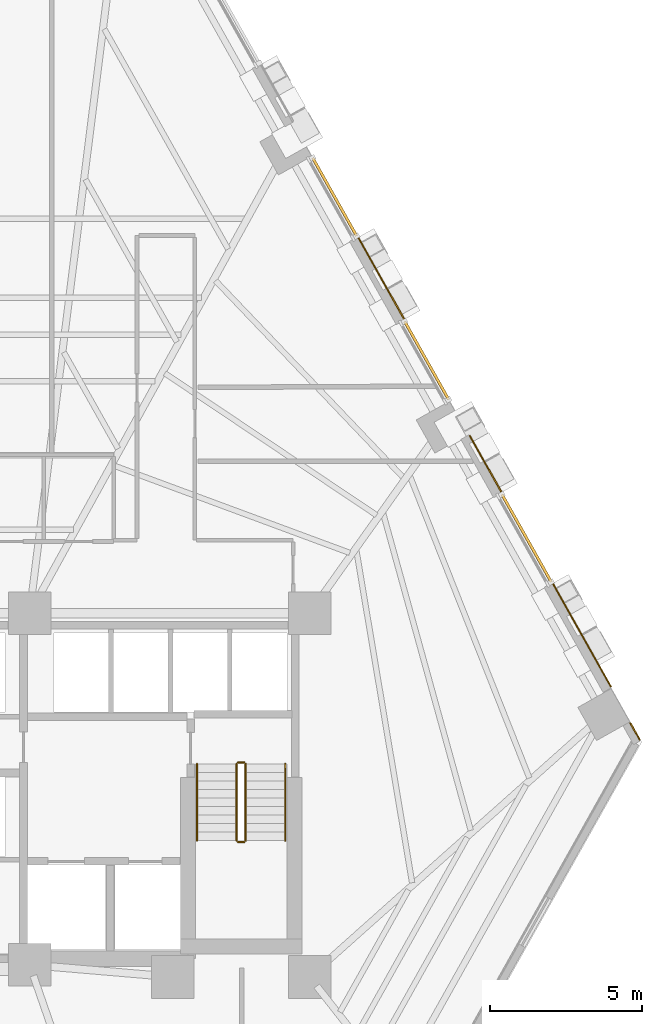
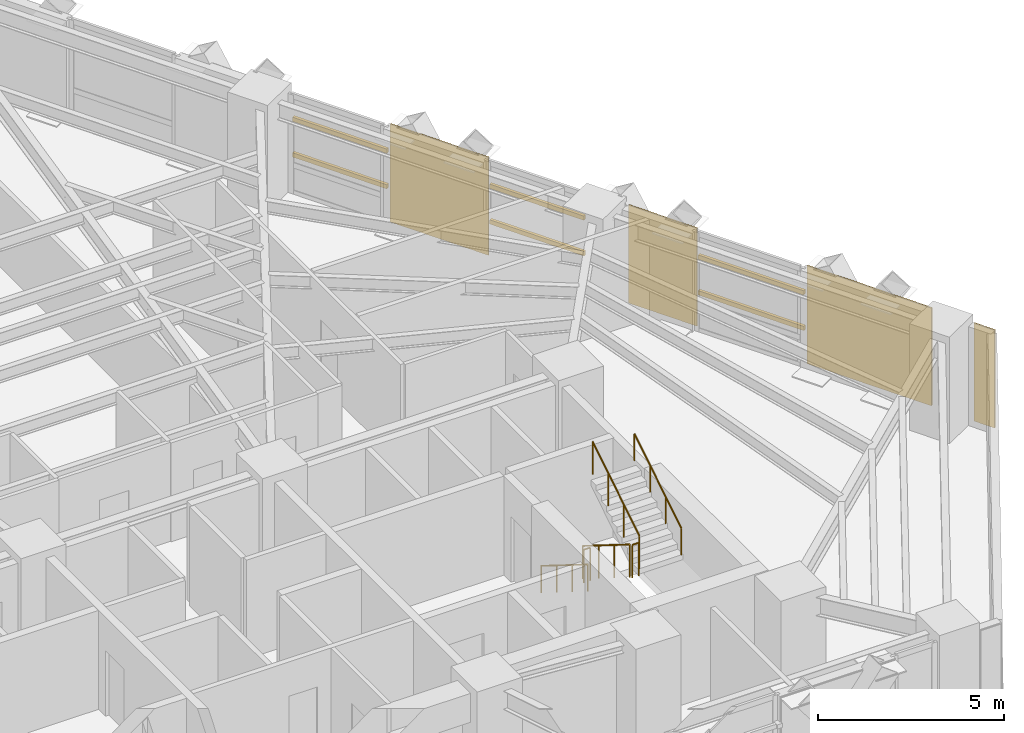
# One storey, part 12 of 13: 6 railings, 6 shading devices, 4 coverings.
"""IFC4 building model written with IfcOpenShell, lengths in metres."""

from ifc_helpers import new_model, si_unit, direction, frame, origin, origin_2d, place, context, subcontext, project, spatial, polyline, rectangle, circle, outline, extrude, material, layer, layer_set, material_profile, profile_set, type_object, element, save


model = new_model("IFC4")

# Units and contexts
model_context = context("Model", 3, precision=1e-05, world=origin(), true_north=direction((0.0, 1.0)))
body_context = subcontext(model_context, "Body", "Model", "MODEL_VIEW")
ifc_project = project(units=[si_unit("LENGTHUNIT", "METRE"), si_unit("AREAUNIT", "SQUARE_METRE"), si_unit("VOLUMEUNIT", "CUBIC_METRE"), si_unit("PLANEANGLEUNIT", "RADIAN"), si_unit("MASSUNIT", "GRAM", prefix="KILO")], contexts=[model_context])

# Site, building, storey
site_placement = place(None, origin())
site = spatial("IfcSite", under=ifc_project, at=site_placement, CompositionType="ELEMENT")
building_placement = place(site_placement, origin())
building = spatial("IfcBuilding", under=site, at=building_placement, Name="Quenlor Broadcast Tower", CompositionType="ELEMENT")
storey_placement = place(building_placement, frame((0.0, 0.0, 62.60009765625)))
storey = spatial("IfcBuildingStorey", under=building, at=storey_placement, Name="L16", CompositionType="ELEMENT", Elevation=62.60009765625)

# Shading devices
ifc_material_1 = material(Name="Architectural Terracotta Ceramic", Category="masonry")
ifc_material_profile = material_profile(ifc_material_1, rectangle(XDim=0.090087890625, YDim=0.139892578125, at=origin_2d()))
ifc_profile_set = profile_set([ifc_material_profile], Name="Architectural Terracotta Ceramic BAG90x140")
shading_device_type = type_object("IfcShadingDeviceType", Name="Copper Terracotta Baguette Solar Screen 140", PredefinedType="USERDEFINED", material=ifc_profile_set)
for number, where, z_axis, x_axis, name in (
    (1, (19.27099609375, -0.89453125, 1.169921875), (0.490289331496, -0.871559734855, 0.0), (0.871559734855, 0.490289331496, 0.0), "L16 Terracotta Baguette Screen 1"),
    (2, (19.27099609375, -0.89453125, 2.33984375), (0.490289331496, -0.871559734855, 0.0), (0.871559734855, 0.490289331496, 0.0), "L16 Terracotta Baguette Screen 2"),
):
    element("IfcShadingDevice", number, at=place(storey_placement, frame(where, z_axis=z_axis, x_axis=x_axis)), inside=storey, type_object=shading_device_type, Name=name, ObjectType="BAGUETTE", PredefinedType="USERDEFINED", context=body_context, shape_type="SweptSolid", body=[
        extrude(rectangle(XDim=0.090087890625, YDim=0.139892578125, at=origin_2d()), origin(), (0.0, 0.0, 1.0), 3.301025390625),
    ])
for number, where, z_axis, x_axis, name in (
    (3, (13.050537109375, 10.164306640625, 1.169921875), (0.490241581092, -0.871586594762, 0.0), (0.871586594762, 0.490241581092, 0.0), "L16 Terracotta Baguette Screen 1"),
    (4, (13.050537109375, 10.164306640625, 2.33984375), (0.490241581092, -0.871586594762, 0.0), (0.871586594762, 0.490241581092, 0.0), "L16 Terracotta Baguette Screen 2"),
):
    element("IfcShadingDevice", number, at=place(storey_placement, frame(where, z_axis=z_axis, x_axis=x_axis)), inside=storey, type_object=shading_device_type, Name=name, ObjectType="BAGUETTE", PredefinedType="USERDEFINED", context=body_context, shape_type="SweptSolid", body=[
        extrude(rectangle(XDim=0.090087890625, YDim=0.139892578125, at=origin_2d()), origin(), (0.0, 0.0, 1.0), 2.9482421875),
    ])
for number, where, z_axis, x_axis, name in (
    (5, (16.07421875, 4.78857421875, 1.169921875), (0.490339873784, -0.871531300744, 0.0), (0.871531300744, 0.490339873784, 0.0), "L16 Terracotta Baguette Screen 1"),
    (6, (16.07421875, 4.78857421875, 2.33984375), (0.490339873784, -0.871531300744, 0.0), (0.871531300744, 0.490339873784, 0.0), "L16 Terracotta Baguette Screen 2"),
):
    element("IfcShadingDevice", number, at=place(storey_placement, frame(where, z_axis=z_axis, x_axis=x_axis)), inside=storey, type_object=shading_device_type, Name=name, ObjectType="BAGUETTE", PredefinedType="USERDEFINED", context=body_context, shape_type="SweptSolid", body=[
        extrude(rectangle(XDim=0.090087890625, YDim=0.139892578125, at=origin_2d()), origin(), (0.0, 0.0, 1.0), 2.947998046875),
    ])

# Coverings
ifc_material_2 = material(Name="Architectural Terracotta Ceramic", Category="masonry")
ifc_layer = layer(ifc_material_2, 0.044921875)
ifc_layer_set = layer_set([ifc_layer], Name="Fluted Terracotta Rainscreen Cladding Panel")
covering_type = type_object("IfcCoveringType", Name="Fluted Terracotta Rainscreen Cladding Panel", PredefinedType="CLADDING", material=ifc_layer_set)
covering_1_placement = place(storey_placement, frame((0.0, 0.0, 0.02001953125)))
element("IfcCovering", 7, at=covering_1_placement, inside=storey, type_object=covering_type, Name="L16 Terracotta Rainscreen Cladding L16-SHD-NES1", PredefinedType="CLADDING", context=body_context, shape_type="SweptSolid", body=[
    extrude(outline(polyline([(23.464111328125, -8.412109375), (23.781982421875, -8.97705078125), (23.8212890625, -8.955078125), (23.50341796875, -8.39013671875), (23.464111328125, -8.412109375)])), origin(), (0.0, 0.0, 1.0), 3.2099609375),
])
covering_2_placement = place(storey_placement, frame((0.0, 0.0, 0.02001953125)))
element("IfcCovering", 8, at=covering_2_placement, inside=storey, type_object=covering_type, Name="L16 Terracotta Rainscreen Cladding L16-NEC-SP1", PredefinedType="CLADDING", context=body_context, shape_type="SweptSolid", body=[
    extrude(outline(polyline([(18.18798828125, 1.029052734375), (19.236083984375, -0.833984375), (19.275146484375, -0.81201171875), (18.227294921875, 1.051025390625), (18.18798828125, 1.029052734375)])), origin(), (0.0, 0.0, 1.0), 3.2099609375),
])
covering_3_placement = place(storey_placement, frame((0.0, 0.0, 0.02001953125)))
element("IfcCovering", 9, at=covering_3_placement, inside=storey, type_object=covering_type, Name="L16 Terracotta Rainscreen Cladding L16-NEC-SP2", PredefinedType="CLADDING", context=body_context, shape_type="SweptSolid", body=[
    extrude(outline(polyline([(20.9228515625, -3.8330078125), (22.83349609375, -7.2294921875), (22.872802734375, -7.20751953125), (20.962158203125, -3.81103515625), (20.9228515625, -3.8330078125)])), origin(), (0.0, 0.0, 1.0), 3.2099609375),
])
covering_4_placement = place(storey_placement, frame((0.0, 0.0, 0.02001953125)))
element("IfcCovering", 10, at=covering_4_placement, inside=storey, type_object=covering_type, Name="L16 Terracotta Rainscreen Cladding L16-NE-SP1", PredefinedType="CLADDING", context=body_context, shape_type="SweptSolid", body=[
    extrude(outline(polyline([(14.529296875, 7.533203125), (16.039306640625, 4.84912109375), (16.078369140625, 4.87109375), (14.568603515625, 7.555419921875), (14.529296875, 7.533203125)])), origin(), (0.0, 0.0, 1.0), 3.2099609375),
])

# Railings
ifc_material_3 = material(Name="Anodised Aluminium", Category="aluminium")
railing_type_1 = type_object("IfcRailingType", Name="Stainless Aluminium Wall Handrail 900", PredefinedType="HANDRAIL", material=ifc_material_3)
railing_1_placement = place(storey_placement, frame((9.25, -9.75, 0.1748046875)))
element("IfcRailing", 11, at=railing_1_placement, inside=storey, type_object=railing_type_1, Name="L16 ST-2 stair handrail 1", PredefinedType="HANDRAIL", context=body_context, shape_type="SweptSolid", body=[
    extrude(circle(Radius=0.02392578125, at=origin_2d()), frame((0.0, 0.0, 0.8759765625), z_axis=(0.0, -0.847970611238, 0.530043245855), x_axis=(1.0, 0.0, 0.0)), (0.0, 0.0, 1.0), 2.971923828125),
    extrude(circle(Radius=0.02099609375, at=origin_2d()), origin(), (0.0, 0.0, 1.0), 0.851806640625),
    extrude(circle(Radius=0.02099609375, at=origin_2d()), frame((0.0, -0.840087890625, 0.525146484375)), (0.0, 0.0, 1.0), 0.851806640625),
    extrude(circle(Radius=0.02099609375, at=origin_2d()), frame((0.0, -1.679931640625, 1.050048828125)), (0.0, 0.0, 1.0), 0.851806640625),
    extrude(circle(Radius=0.02099609375, at=origin_2d()), frame((0.0, -2.52001953125, 1.5751953125)), (0.0, 0.0, 1.0), 0.851806640625),
])
railing_2_placement = place(storey_placement, frame((12.14990234375, -12.27001953125, 1.9248046875)))
element("IfcRailing", 12, at=railing_2_placement, inside=storey, type_object=railing_type_1, Name="L16 ST-2 stair handrail 2", PredefinedType="HANDRAIL", context=body_context, shape_type="SweptSolid", body=[
    extrude(circle(Radius=0.02392578125, at=origin_2d()), frame((0.0, 0.0, 0.8759765625), z_axis=(0.0, 0.847970611238, 0.530043245855), x_axis=(-1.0, 0.0, 0.0)), (0.0, 0.0, 1.0), 2.971923828125),
    extrude(circle(Radius=0.02099609375, at=origin_2d()), origin(), (0.0, 0.0, 1.0), 0.851806640625),
    extrude(circle(Radius=0.02099609375, at=origin_2d()), frame((0.0, 0.840087890625, 0.525146484375)), (0.0, 0.0, 1.0), 0.851806640625),
    extrude(circle(Radius=0.02099609375, at=origin_2d()), frame((0.0, 1.679931640625, 1.050048828125)), (0.0, 0.0, 1.0), 0.851806640625),
    extrude(circle(Radius=0.02099609375, at=origin_2d()), frame((0.0, 2.52001953125, 1.5751953125)), (0.0, 0.0, 1.0), 0.851806640625),
])
ifc_material_4 = material(Name="Steel S355", Category="steel")
railing_type_2 = type_object("IfcRailingType", Name="Tubular Steel S355 Stair Guardrail 1100", PredefinedType="BALUSTRADE", material=ifc_material_4)
railing_3_placement = place(storey_placement, frame((10.550048828125, -9.75, 0.1748046875)))
element("IfcRailing", 13, at=railing_3_placement, inside=storey, type_object=railing_type_2, Name="L16 ST-2 stair guard 1", PredefinedType="BALUSTRADE", context=body_context, shape_type="SweptSolid", body=[
    extrude(circle(Radius=0.02392578125, at=origin_2d()), frame((0.0, 0.0, 1.076171875), z_axis=(0.0, -0.847970611238, 0.530043245855), x_axis=(1.0, 0.0, 0.0)), (0.0, 0.0, 1.0), 2.971923828125),
    extrude(circle(Radius=0.02099609375, at=origin_2d()), origin(), (0.0, 0.0, 1.0), 1.052001953125),
    extrude(circle(Radius=0.02099609375, at=origin_2d()), frame((0.0, -0.840087890625, 0.525146484375)), (0.0, 0.0, 1.0), 1.052001953125),
    extrude(circle(Radius=0.02099609375, at=origin_2d()), frame((0.0, -1.679931640625, 1.050048828125)), (0.0, 0.0, 1.0), 1.052001953125),
    extrude(circle(Radius=0.02099609375, at=origin_2d()), frame((0.0, -2.52001953125, 1.5751953125)), (0.0, 0.0, 1.0), 1.052001953125),
])
railing_4_placement = place(storey_placement, frame((10.60009765625, -12.320068359375, 1.75)))
element("IfcRailing", 14, at=railing_4_placement, inside=storey, type_object=railing_type_2, Name="L16 ST-2 stair guard 2", PredefinedType="BALUSTRADE", context=body_context, shape_type="SweptSolid", body=[
    extrude(circle(Radius=0.02392578125, at=origin_2d()), frame((0.0, 0.0, 1.076171875), z_axis=(1.0, 0.0, 0.0), x_axis=(0.0, 1.0, 0.0)), (0.0, 0.0, 1.0), 0.199951171875),
    extrude(circle(Radius=0.02099609375, at=origin_2d()), origin(), (0.0, 0.0, 1.0), 1.052001953125),
    extrude(circle(Radius=0.02099609375, at=origin_2d()), frame((0.199951171875, 0.0, 0.0)), (0.0, 0.0, 1.0), 1.052001953125),
])
railing_5_placement = place(storey_placement, frame((10.85009765625, -12.27001953125, 1.9248046875)))
element("IfcRailing", 15, at=railing_5_placement, inside=storey, type_object=railing_type_2, Name="L16 ST-2 stair guard 3", PredefinedType="BALUSTRADE", context=body_context, shape_type="SweptSolid", body=[
    extrude(circle(Radius=0.02392578125, at=origin_2d()), frame((0.0, 0.0, 1.076171875), z_axis=(0.0, 0.847970611238, 0.530043245855), x_axis=(-1.0, 0.0, 0.0)), (0.0, 0.0, 1.0), 2.971923828125),
    extrude(circle(Radius=0.02099609375, at=origin_2d()), origin(), (0.0, 0.0, 1.0), 1.052001953125),
    extrude(circle(Radius=0.02099609375, at=origin_2d()), frame((0.0, 0.840087890625, 0.525146484375)), (0.0, 0.0, 1.0), 1.052001953125),
    extrude(circle(Radius=0.02099609375, at=origin_2d()), frame((0.0, 1.679931640625, 1.050048828125)), (0.0, 0.0, 1.0), 1.052001953125),
    extrude(circle(Radius=0.02099609375, at=origin_2d()), frame((0.0, 2.52001953125, 1.5751953125)), (0.0, 0.0, 1.0), 1.052001953125),
])
railing_6_placement = place(storey_placement, frame((10.60009765625, -9.699951171875, 0.0)))
element("IfcRailing", 16, at=railing_6_placement, inside=storey, type_object=railing_type_2, Name="L16 ST-2 stair guard 4", PredefinedType="BALUSTRADE", context=body_context, shape_type="SweptSolid", body=[
    extrude(circle(Radius=0.02392578125, at=origin_2d()), frame((0.0, 0.0, 1.076171875), z_axis=(1.0, 0.0, 0.0), x_axis=(0.0, 1.0, 0.0)), (0.0, 0.0, 1.0), 0.199951171875),
    extrude(circle(Radius=0.02099609375, at=origin_2d()), origin(), (0.0, 0.0, 1.0), 1.052001953125),
    extrude(circle(Radius=0.02099609375, at=origin_2d()), frame((0.199951171875, 0.0, 0.0)), (0.0, 0.0, 1.0), 1.052001953125),
])

save(model, "model.ifc")
